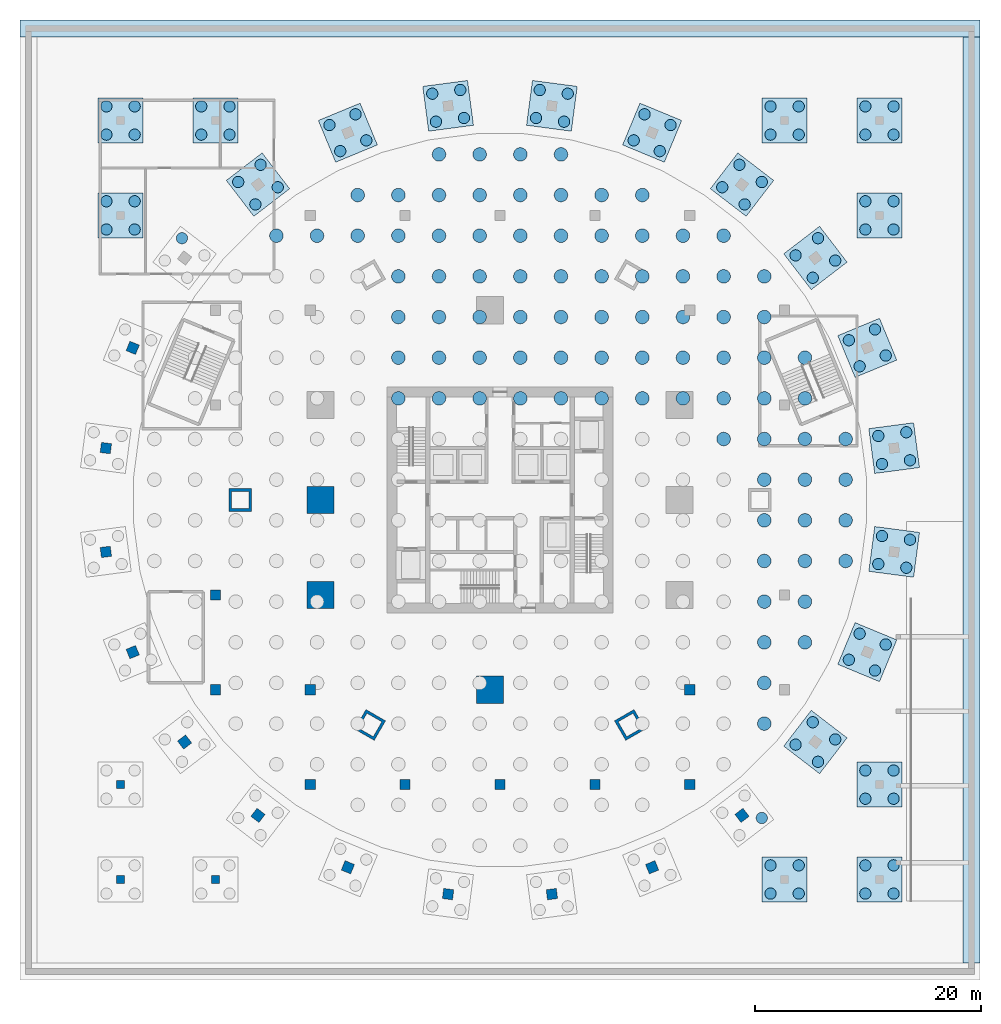
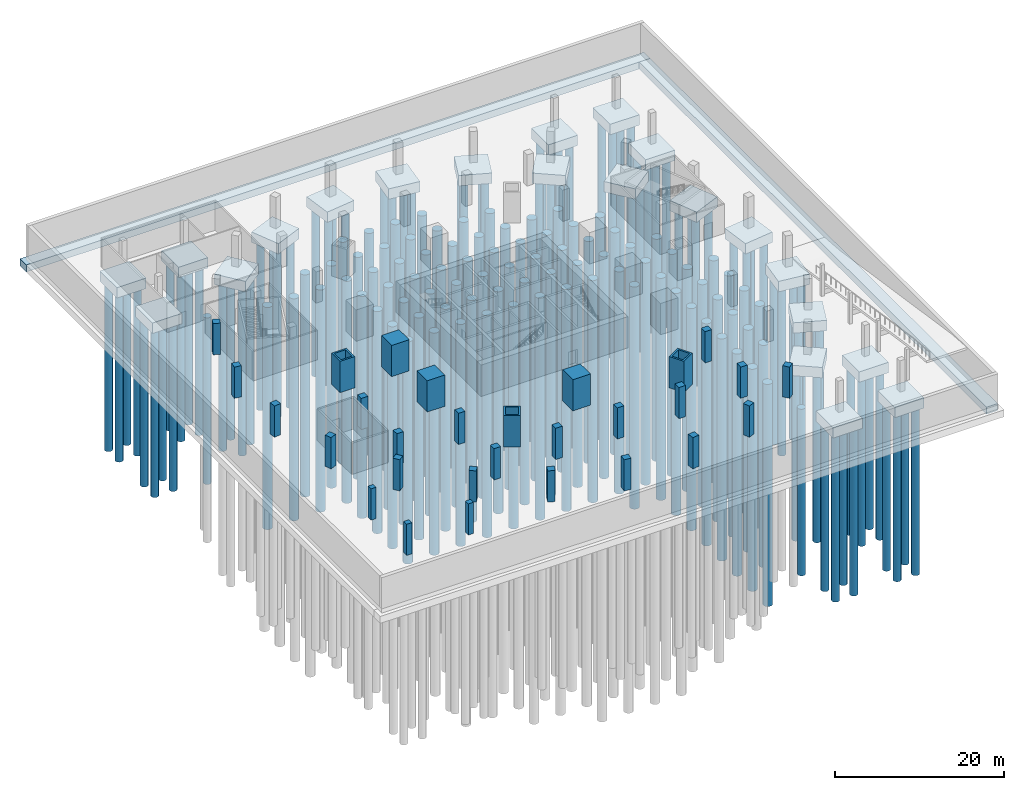
# One storey, part 2 of 12: 171 piles, 29 columns, 23 footings.
"""IFC4 building model written with IfcOpenShell, lengths in metres."""

import ifcopenshell
import ifcopenshell.guid

model = None  # the IFC model being written
_history = None  # IfcOwnerHistory: only IFC2X3 demands one
_inside = {}  # id of a spatial element -> (the spatial element, [elements in it])
_under = {}  # id of a project, library or spatial element -> (it, [spatial elements below it])
_declared = {}  # id of a project -> (the project, [libraries it declares])
_typed = {}  # id of a type object -> (the type object, [elements of that type])
_made_of = {}  # id of a material, layer set ... -> (it, [elements and type objects made of it])


def new_model(schema):
    """Start an empty IFC model of exactly this schema.

    Asked for "IFC4X3", IfcOpenShell would pick the latest addendum, in which some entities
    have other attributes; the version numbers below select the first issue.
    IFC2X3 requires an IfcOwnerHistory on every rooted entity: one is made here for all.
    """
    global model, _history
    if schema == "IFC4X3":
        model = ifcopenshell.file(schema_version=(4, 3, 0, 0))
    else:
        model = ifcopenshell.file(schema=schema)
    _inside.clear()
    _under.clear()
    _declared.clear()
    _typed.clear()
    _made_of.clear()
    _history = None
    if model.schema == "IFC2X3":
        org = make("IfcOrganization", Name="unknown")
        user = make(
            "IfcPersonAndOrganization",
            ThePerson=make("IfcPerson", FamilyName="unknown"),
            TheOrganization=org,
        )
        app = make(
            "IfcApplication",
            ApplicationDeveloper=org,
            Version="unknown",
            ApplicationFullName="unknown",
            ApplicationIdentifier="unknown",
        )
        _history = make(
            "IfcOwnerHistory",
            OwningUser=user,
            OwningApplication=app,
            ChangeAction="ADDED",
            CreationDate=0,
        )
    return model


def make(cls, **values):
    """One entity of the class cls with the attributes given. An attribute that is None is left unset."""
    return model.create_entity(
        cls, **{name: value for name, value in values.items() if value is not None}
    )


def rooted(cls, **values):
    """An entity with a GlobalId (a new one), such as an element, a storey or a relation."""
    return make(cls, GlobalId=ifcopenshell.guid.new(), OwnerHistory=_history, **values)


def si_unit(unit_type, name, prefix=None):
    """IfcSIUnit, for example si_unit("LENGTHUNIT", "METRE", prefix="MILLI")."""
    return make("IfcSIUnit", UnitType=unit_type, Prefix=prefix, Name=name)


def assignment(units):
    """IfcUnitAssignment: the units of a project."""
    return None if units is None else make("IfcUnitAssignment", Units=units)


def point(xyz):
    """IfcCartesianPoint."""
    return None if xyz is None else make("IfcCartesianPoint", Coordinates=xyz)


def direction(xyz):
    """IfcDirection."""
    return None if xyz is None else make("IfcDirection", DirectionRatios=xyz)


def frame(location, z_axis=None, x_axis=None):
    """IfcAxis2Placement3D, a coordinate frame: its origin and axes. An axis left out is left unset."""
    return make(
        "IfcAxis2Placement3D",
        Location=point(location),
        Axis=direction(z_axis),
        RefDirection=direction(x_axis),
    )


def frame_2d(location, x_axis=None):
    """IfcAxis2Placement2D, a coordinate frame in the plane: its origin and x axis."""
    return make(
        "IfcAxis2Placement2D", Location=point(location), RefDirection=direction(x_axis)
    )


def origin():
    """The frame at (0, 0, 0) with its axes left unset."""
    return frame((0.0, 0.0, 0.0))


def origin_2d():
    """The frame at (0, 0) in the plane with its x axis left unset."""
    return frame_2d((0.0, 0.0))


def place(relative_to, where):
    """IfcLocalPlacement: puts the frame where relative to a parent placement (None: the world)."""
    return make(
        "IfcLocalPlacement", PlacementRelTo=relative_to, RelativePlacement=where
    )


def context(
    kind, dimensions, precision=None, world=None, true_north=None, identifier=None
):
    """IfcGeometricRepresentationContext, for example the 3D "Model" context."""
    return make(
        "IfcGeometricRepresentationContext",
        ContextIdentifier=identifier,
        ContextType=kind,
        CoordinateSpaceDimension=dimensions,
        Precision=precision,
        WorldCoordinateSystem=world,
        TrueNorth=true_north,
    )


def subcontext(parent, identifier, kind, view, scale=None):
    """IfcGeometricRepresentationSubContext, for example "Body" below "Model"."""
    return make(
        "IfcGeometricRepresentationSubContext",
        ContextIdentifier=identifier,
        ContextType=kind,
        ParentContext=parent,
        TargetScale=scale,
        TargetView=view,
    )


def project(units=None, contexts=None):
    """IfcProject with its units and contexts."""
    return rooted(
        "IfcProject",
        Name="project",
        RepresentationContexts=contexts,
        UnitsInContext=assignment(units),
    )


def spatial(cls, under=None, at=None, **own):
    """A site, building, storey or space (cls), placed at a placement, below another one or the project."""
    s = rooted(cls, ObjectPlacement=at, **own)
    if under is not None:
        _under.setdefault(under.id(), (under, []))[1].append(s)
    return s


def profile(cls, at=None, kind="AREA", **sizes):
    """A parametric profile (cls). Its sizes go by their IFC names, for example OverallWidth=200.0."""
    return make(cls, ProfileType=kind, Position=at, **sizes)


def rectangle(**sizes):
    """IfcRectangleProfileDef."""
    return profile("IfcRectangleProfileDef", **sizes)


def hollow_rectangle(**sizes):
    """IfcRectangleHollowProfileDef."""
    return profile("IfcRectangleHollowProfileDef", **sizes)


def circle(**sizes):
    """IfcCircleProfileDef."""
    return profile("IfcCircleProfileDef", **sizes)


def extrude(swept, where, along, depth):
    """IfcExtrudedAreaSolid: the profile swept, set in the frame where, extruded along a direction by depth."""
    return make(
        "IfcExtrudedAreaSolid",
        SweptArea=swept,
        Position=where,
        ExtrudedDirection=direction(along),
        Depth=depth,
    )


def shape(context_of_items, identifier, shape_type, items):
    """IfcShapeRepresentation: the items that make up one representation, for example the "Body"."""
    return make(
        "IfcShapeRepresentation",
        ContextOfItems=context_of_items,
        RepresentationIdentifier=identifier,
        RepresentationType=shape_type,
        Items=items,
    )


def material(Name=None, Category=None):
    """IfcMaterial."""
    return make("IfcMaterial", Name=Name, Category=Category)


def layer(
    of_material, thickness, ventilated=None, Name=None, Category=None, Priority=None
):
    """IfcMaterialLayer: one layer of a wall or slab, of a material (None: an air gap)."""
    return make(
        "IfcMaterialLayer",
        Material=of_material,
        LayerThickness=thickness,
        IsVentilated=ventilated,
        Name=Name,
        Category=Category,
        Priority=Priority,
    )


def layer_set(layers, Name=None):
    """IfcMaterialLayerSet."""
    return make("IfcMaterialLayerSet", MaterialLayers=layers, LayerSetName=Name)


def material_profile(
    of_material, cross_section, Name=None, Category=None, Priority=None
):
    """IfcMaterialProfile: a cross section and its material."""
    return make(
        "IfcMaterialProfile",
        Name=Name,
        Material=of_material,
        Profile=cross_section,
        Priority=Priority,
        Category=Category,
    )


def profile_set(profiles, Name=None, composite=None):
    """IfcMaterialProfileSet."""
    return make(
        "IfcMaterialProfileSet",
        Name=Name,
        MaterialProfiles=profiles,
        CompositeProfile=composite,
    )


def made_of(thing, what):
    """Note that an element or type object is made of a material, layer set ...; save() writes the relation."""
    if what is not None:
        _made_of.setdefault(what.id(), (what, []))[1].append(thing)
    return thing


def type_object(cls, material=None, **own):
    """A type object (cls), such as IfcWallType, which elements share."""
    return made_of(rooted(cls, **own), material)


def element(
    cls,
    number,
    at=None,
    inside=None,
    cuts=None,
    type_object=None,
    material=None,
    context=None,
    identifier="Body",
    shape_type=None,
    held_by="IfcProductDefinitionShape",
    body=None,
    shapes=None,
    **own,
):
    """One element of the class cls, such as IfcWall. Its Tag is "e" and its number.

    at: its placement. inside: the storey or other place that contains it. cuts: it is an
    opening in that element (IfcRelVoidsElement). A single representation is given by context,
    identifier, shape_type and body (its items); several are given by shapes. held_by: the class
    of the entity that holds the representations. save() writes the other relations.
    """
    e = rooted(cls, Tag="e%d" % number, ObjectPlacement=at, **own)
    if body is not None:
        shapes = [shape(context, identifier, shape_type, body)]
    if shapes is not None:
        e.Representation = make(held_by, Representations=shapes)
    if inside is not None:
        _inside.setdefault(inside.id(), (inside, []))[1].append(e)
    if cuts is not None:
        rooted(
            "IfcRelVoidsElement", RelatingBuildingElement=cuts, RelatedOpeningElement=e
        )
    if type_object is not None:
        _typed.setdefault(type_object.id(), (type_object, []))[1].append(e)
    return made_of(e, material)


def aggregate(whole, parts):
    """IfcRelAggregates: a whole, such as a stair, and the parts it consists of."""
    return rooted("IfcRelAggregates", RelatingObject=whole, RelatedObjects=parts)


def save(model, path):
    """Write the relations noted so far, then the file.

    IfcRelAggregates (storeys below a building ...), IfcRelContainedInSpatialStructure (elements
    in a storey), IfcRelDefinesByType, IfcRelAssociatesMaterial and IfcRelDeclares: one each for
    every whole, place, type object, material and project.
    """
    for whole, parts in _under.values():
        aggregate(whole, parts)
    for where, things in _inside.values():
        rooted(
            "IfcRelContainedInSpatialStructure",
            RelatedElements=things,
            RelatingStructure=where,
        )
    for kind, things in _typed.values():
        rooted("IfcRelDefinesByType", RelatedObjects=things, RelatingType=kind)
    for what, things in _made_of.values():
        rooted("IfcRelAssociatesMaterial", RelatedObjects=things, RelatingMaterial=what)
    for by, libraries in _declared.values():
        rooted("IfcRelDeclares", RelatingContext=by, RelatedDefinitions=libraries)
    model.write(path)


model = new_model("IFC4")

# Units and contexts
model_context = context("Model", 3, precision=1e-05, world=origin(), true_north=direction((0.0, 1.0)))
body_context = subcontext(model_context, "Body", "Model", "MODEL_VIEW")
ifc_project = project(units=[si_unit("LENGTHUNIT", "METRE"), si_unit("AREAUNIT", "SQUARE_METRE"), si_unit("VOLUMEUNIT", "CUBIC_METRE"), si_unit("PLANEANGLEUNIT", "RADIAN"), si_unit("MASSUNIT", "GRAM", prefix="KILO")], contexts=[model_context])

# Site, building, storey
site_placement = place(None, origin())
site = spatial("IfcSite", under=ifc_project, at=site_placement, CompositionType="ELEMENT")
building_placement = place(site_placement, origin())
building = spatial("IfcBuilding", under=site, at=building_placement, Name="Golbaran Civic Tower", CompositionType="ELEMENT")
storey_placement = place(building_placement, frame((0.0, 0.0, -13.5)))
storey = spatial("IfcBuildingStorey", under=building, at=storey_placement, Name="B3", CompositionType="ELEMENT", Elevation=-13.5)

# Piles
ifc_material_1 = material(Name="Concrete C35/45", Category="concrete")
ifc_material_profile_1 = material_profile(ifc_material_1, circle(Radius=0.5, at=origin_2d()), Name="BORED PILE D1000")
ifc_profile_set_1 = profile_set([ifc_material_profile_1], Name="Concrete C35/45")
pile_type_1 = type_object("IfcPileType", Name="BORED PILE D1000", PredefinedType="BORED", material=ifc_profile_set_1)
for number, where, z_axis, x_axis, name in (
    (1, (-34.85009765625, 23.949951171875, -2.10009765625), (0.0, 0.0, -1.0), (1.0, 0.0, 0.0), "Pile 2J-1"),
    (2, (-32.35009765625, 23.949951171875, -2.10009765625), (0.0, 0.0, -1.0), (1.0, 0.0, 0.0), "Pile 2J-2"),
    (3, (-32.35009765625, 26.449951171875, -2.10009765625), (0.0, 0.0, -1.0), (1.0, 0.0, 0.0), "Pile 2J-3"),
    (4, (-34.85009765625, 26.449951171875, -2.10009765625), (0.0, 0.0, -1.0), (1.0, 0.0, 0.0), "Pile 2J-4"),
    (5, (-34.85009765625, 32.35009765625, -2.10009765625), (0.0, 0.0, -1.0), (1.0, 0.0, 0.0), "Pile 2K-1"),
    (6, (-32.35009765625, 32.35009765625, -2.10009765625), (0.0, 0.0, -1.0), (1.0, 0.0, 0.0), "Pile 2K-2"),
    (7, (-32.35009765625, 34.85009765625, -2.10009765625), (0.0, 0.0, -1.0), (1.0, 0.0, 0.0), "Pile 2K-3"),
    (8, (-34.85009765625, 34.85009765625, -2.10009765625), (0.0, 0.0, -1.0), (1.0, 0.0, 0.0), "Pile 2K-4"),
    (9, (-26.449951171875, 32.35009765625, -2.10009765625), (0.0, 0.0, -1.0), (1.0, 0.0, 0.0), "Pile 3K-1"),
    (10, (-23.949951171875, 32.35009765625, -2.10009765625), (0.0, 0.0, -1.0), (1.0, 0.0, 0.0), "Pile 3K-2"),
    (11, (-23.949951171875, 34.85009765625, -2.10009765625), (0.0, 0.0, -1.0), (1.0, 0.0, 0.0), "Pile 3K-3"),
    (12, (-26.449951171875, 34.85009765625, -2.10009765625), (0.0, 0.0, -1.0), (1.0, 0.0, 0.0), "Pile 3K-4"),
    (13, (23.949951171875, -34.85009765625, -2.10009765625), (0.0, 0.0, -1.0), (1.0, 0.0, 0.0), "Pile 9B-1"),
    (14, (26.449951171875, -34.85009765625, -2.10009765625), (0.0, 0.0, -1.0), (1.0, 0.0, 0.0), "Pile 9B-2"),
    (15, (26.449951171875, -32.35009765625, -2.10009765625), (0.0, 0.0, -1.0), (1.0, 0.0, 0.0), "Pile 9B-3"),
    (16, (23.949951171875, -32.35009765625, -2.10009765625), (0.0, 0.0, -1.0), (1.0, 0.0, 0.0), "Pile 9B-4"),
    (17, (23.949951171875, 32.35009765625, -2.10009765625), (0.0, 0.0, -1.0), (1.0, 0.0, 0.0), "Pile 9K-1"),
    (18, (26.449951171875, 32.35009765625, -2.10009765625), (0.0, 0.0, -1.0), (1.0, 0.0, 0.0), "Pile 9K-2"),
    (19, (26.449951171875, 34.85009765625, -2.10009765625), (0.0, 0.0, -1.0), (1.0, 0.0, 0.0), "Pile 9K-3"),
    (20, (23.949951171875, 34.85009765625, -2.10009765625), (0.0, 0.0, -1.0), (1.0, 0.0, 0.0), "Pile 9K-4"),
    (21, (32.35009765625, -34.85009765625, -2.10009765625), (0.0, 0.0, -1.0), (1.0, 0.0, 0.0), "Pile 10B-1"),
    (22, (34.85009765625, -34.85009765625, -2.10009765625), (0.0, 0.0, -1.0), (1.0, 0.0, 0.0), "Pile 10B-2"),
    (23, (34.85009765625, -32.35009765625, -2.10009765625), (0.0, 0.0, -1.0), (1.0, 0.0, 0.0), "Pile 10B-3"),
    (24, (32.35009765625, -32.35009765625, -2.10009765625), (0.0, 0.0, -1.0), (1.0, 0.0, 0.0), "Pile 10B-4"),
    (25, (32.35009765625, -26.449951171875, -2.10009765625), (0.0, 0.0, -1.0), (1.0, 0.0, 0.0), "Pile 10C-1"),
    (26, (34.85009765625, -26.449951171875, -2.10009765625), (0.0, 0.0, -1.0), (1.0, 0.0, 0.0), "Pile 10C-2"),
    (27, (34.85009765625, -23.949951171875, -2.10009765625), (0.0, 0.0, -1.0), (1.0, 0.0, 0.0), "Pile 10C-3"),
    (28, (32.35009765625, -23.949951171875, -2.10009765625), (0.0, 0.0, -1.0), (1.0, 0.0, 0.0), "Pile 10C-4"),
    (29, (32.35009765625, 23.949951171875, -2.10009765625), (0.0, 0.0, -1.0), (1.0, 0.0, 0.0), "Pile 10J-1"),
    (30, (34.85009765625, 23.949951171875, -2.10009765625), (0.0, 0.0, -1.0), (1.0, 0.0, 0.0), "Pile 10J-2"),
    (31, (34.85009765625, 26.449951171875, -2.10009765625), (0.0, 0.0, -1.0), (1.0, 0.0, 0.0), "Pile 10J-3"),
    (32, (32.35009765625, 26.449951171875, -2.10009765625), (0.0, 0.0, -1.0), (1.0, 0.0, 0.0), "Pile 10J-4"),
    (33, (32.35009765625, 32.35009765625, -2.10009765625), (0.0, 0.0, -1.0), (1.0, 0.0, 0.0), "Pile 10K-1"),
    (34, (34.85009765625, 32.35009765625, -2.10009765625), (0.0, 0.0, -1.0), (1.0, 0.0, 0.0), "Pile 10K-2"),
    (35, (34.85009765625, 34.85009765625, -2.10009765625), (0.0, 0.0, -1.0), (1.0, 0.0, 0.0), "Pile 10K-3"),
    (36, (32.35009765625, 34.85009765625, -2.10009765625), (0.0, 0.0, -1.0), (1.0, 0.0, 0.0), "Pile 10K-4"),
    (37, (33.82275390625, 3.192138671875, -2.10009765625), (0.0, 0.0, -1.0), (1.0, 0.0, 0.0), "Pile R0075-1"),
    (38, (36.30126953125, 3.518310546875, -2.10009765625), (0.0, 0.0, -1.0), (1.0, 0.0, 0.0), "Pile R0075-2"),
    (39, (35.97509765625, 5.9970703125, -2.10009765625), (0.0, 0.0, -1.0), (1.0, 0.0, 0.0), "Pile R0075-3"),
    (40, (33.496337890625, 5.670654296875, -2.10009765625), (0.0, 0.0, -1.0), (1.0, 0.0, 0.0), "Pile R0075-4"),
    (41, (31.843994140625, 11.837158203125, -2.10009765625), (0.0, 0.0, -1.0), (1.0, 0.0, 0.0), "Pile R0225-1"),
    (42, (34.15380859375, 12.7939453125, -2.10009765625), (0.0, 0.0, -1.0), (1.0, 0.0, 0.0), "Pile R0225-2"),
    (43, (33.197021484375, 15.103759765625, -2.10009765625), (0.0, 0.0, -1.0), (1.0, 0.0, 0.0), "Pile R0225-3"),
    (44, (30.887451171875, 14.14697265625, -2.10009765625), (0.0, 0.0, -1.0), (1.0, 0.0, 0.0), "Pile R0225-4"),
    (45, (27.6953125, 19.67578125, -2.10009765625), (0.0, 0.0, -1.0), (1.0, 0.0, 0.0), "Pile R0375-1"),
    (46, (29.6787109375, 21.19775390625, -2.10009765625), (0.0, 0.0, -1.0), (1.0, 0.0, 0.0), "Pile R0375-2"),
    (47, (28.15673828125, 23.18115234375, -2.10009765625), (0.0, 0.0, -1.0), (1.0, 0.0, 0.0), "Pile R0375-3"),
    (48, (26.17333984375, 21.6591796875, -2.10009765625), (0.0, 0.0, -1.0), (1.0, 0.0, 0.0), "Pile R0375-4"),
    (49, (21.6591796875, 26.17333984375, -2.10009765625), (0.0, 0.0, -1.0), (1.0, 0.0, 0.0), "Pile R0525-1"),
    (50, (23.18115234375, 28.15673828125, -2.10009765625), (0.0, 0.0, -1.0), (1.0, 0.0, 0.0), "Pile R0525-2"),
    (51, (21.19775390625, 29.6787109375, -2.10009765625), (0.0, 0.0, -1.0), (1.0, 0.0, 0.0), "Pile R0525-3"),
    (52, (19.67578125, 27.6953125, -2.10009765625), (0.0, 0.0, -1.0), (1.0, 0.0, 0.0), "Pile R0525-4"),
    (53, (14.14697265625, 30.887451171875, -2.10009765625), (0.0, 0.0, -1.0), (1.0, 0.0, 0.0), "Pile R0675-1"),
    (54, (15.103759765625, 33.197021484375, -2.10009765625), (0.0, 0.0, -1.0), (1.0, 0.0, 0.0), "Pile R0675-2"),
    (55, (12.7939453125, 34.15380859375, -2.10009765625), (0.0, 0.0, -1.0), (1.0, 0.0, 0.0), "Pile R0675-3"),
    (56, (11.837158203125, 31.843994140625, -2.10009765625), (0.0, 0.0, -1.0), (1.0, 0.0, 0.0), "Pile R0675-4"),
    (57, (5.670654296875, 33.496337890625, -2.10009765625), (0.0, 0.0, -1.0), (1.0, 0.0, 0.0), "Pile R0825-1"),
    (58, (5.9970703125, 35.97509765625, -2.10009765625), (0.0, 0.0, -1.0), (1.0, 0.0, 0.0), "Pile R0825-2"),
    (59, (3.518310546875, 36.30126953125, -2.10009765625), (0.0, 0.0, -1.0), (1.0, 0.0, 0.0), "Pile R0825-3"),
    (60, (3.192138671875, 33.82275390625, -2.10009765625), (0.0, 0.0, -1.0), (1.0, 0.0, 0.0), "Pile R0825-4"),
    (61, (-3.192138671875, 33.82275390625, -2.10009765625), (0.0, 0.0, -1.0), (1.0, 0.0, 0.0), "Pile R0975-1"),
    (62, (-3.518310546875, 36.30126953125, -2.10009765625), (0.0, 0.0, -1.0), (1.0, 0.0, 0.0), "Pile R0975-2"),
    (63, (-5.9970703125, 35.97509765625, -2.10009765625), (0.0, 0.0, -1.0), (1.0, 0.0, 0.0), "Pile R0975-3"),
    (64, (-5.670654296875, 33.496337890625, -2.10009765625), (0.0, 0.0, -1.0), (1.0, 0.0, 0.0), "Pile R0975-4"),
    (65, (-11.837158203125, 31.843994140625, -2.10009765625), (0.0, 0.0, -1.0), (1.0, 0.0, 0.0), "Pile R1125-1"),
    (66, (-12.7939453125, 34.15380859375, -2.10009765625), (0.0, 0.0, -1.0), (1.0, 0.0, 0.0), "Pile R1125-2"),
    (67, (-15.103759765625, 33.197021484375, -2.10009765625), (0.0, 0.0, -1.0), (1.0, 0.0, 0.0), "Pile R1125-3"),
    (68, (-14.14697265625, 30.887451171875, -2.10009765625), (0.0, 0.0, -1.0), (1.0, 0.0, 0.0), "Pile R1125-4"),
    (69, (-19.67578125, 27.6953125, -2.10009765625), (0.0, 0.0, -1.0), (1.0, 0.0, 0.0), "Pile R1275-1"),
    (70, (-21.19775390625, 29.6787109375, -2.10009765625), (0.0, 0.0, -1.0), (1.0, 0.0, 0.0), "Pile R1275-2"),
    (71, (-23.18115234375, 28.15673828125, -2.10009765625), (0.0, 0.0, -1.0), (1.0, 0.0, 0.0), "Pile R1275-3"),
    (72, (-21.6591796875, 26.17333984375, -2.10009765625), (0.0, 0.0, -1.0), (1.0, 0.0, 0.0), "Pile R1275-4"),
    (73, (-28.15673828125, 23.18115234375, -2.10009765625), (0.0, 0.0, -1.0), (1.0, 0.0, 0.0), "Pile R1425-2"),
    (74, (23.18115234375, -28.15673828125, -2.10009765625), (0.0, 0.0, -1.0), (1.0, 0.0, 0.0), "Pile R3075-3"),
    (75, (26.17333984375, -21.6591796875, -2.10009765625), (0.0, 0.0, -1.0), (1.0, 0.0, 0.0), "Pile R3225-1"),
    (76, (28.15673828125, -23.18115234375, -2.10009765625), (0.0, 0.0, -1.0), (1.0, 0.0, 0.0), "Pile R3225-2"),
    (77, (29.6787109375, -21.19775390625, -2.10009765625), (0.0, 0.0, -1.0), (1.0, 0.0, 0.0), "Pile R3225-3"),
    (78, (27.6953125, -19.67578125, -2.10009765625), (0.0, 0.0, -1.0), (1.0, 0.0, 0.0), "Pile R3225-4"),
    (79, (30.887451171875, -14.14697265625, -2.10009765625), (0.0, 0.0, -1.0), (1.0, 0.0, 0.0), "Pile R3375-1"),
    (80, (33.197021484375, -15.103759765625, -2.10009765625), (0.0, 0.0, -1.0), (1.0, 0.0, 0.0), "Pile R3375-2"),
    (81, (34.15380859375, -12.7939453125, -2.10009765625), (0.0, 0.0, -1.0), (1.0, 0.0, 0.0), "Pile R3375-3"),
    (82, (31.843994140625, -11.837158203125, -2.10009765625), (0.0, 0.0, -1.0), (1.0, 0.0, 0.0), "Pile R3375-4"),
    (83, (33.496337890625, -5.670654296875, -2.10009765625), (0.0, 0.0, -1.0), (1.0, 0.0, 0.0), "Pile R3525-1"),
    (84, (35.97509765625, -5.9970703125, -2.10009765625), (0.0, 0.0, -1.0), (1.0, 0.0, 0.0), "Pile R3525-2"),
    (85, (36.30126953125, -3.518310546875, -2.10009765625), (0.0, 0.0, -1.0), (1.0, 0.0, 0.0), "Pile R3525-3"),
    (86, (33.82275390625, -3.192138671875, -2.10009765625), (0.0, 0.0, -1.0), (1.0, 0.0, 0.0), "Pile R3525-4"),
):
    element("IfcPile", number, at=place(storey_placement, frame(where, z_axis=z_axis, x_axis=x_axis)), inside=storey, type_object=pile_type_1, Name=name, PredefinedType="BORED", context=body_context, shape_type="SweptSolid", body=[
        extrude(circle(Radius=0.5, at=origin_2d()), origin(), (0.0, 0.0, 1.0), 24.0),
    ])
ifc_material_profile_2 = material_profile(ifc_material_1, circle(Radius=0.60009765625, at=origin_2d()), Name="BORED PILE D1200")
ifc_profile_set_2 = profile_set([ifc_material_profile_2], Name="Concrete C35/45")
pile_type_2 = type_object("IfcPileType", Name="BORED PILE D1200", PredefinedType="BORED", material=ifc_profile_set_2)
for number, where, z_axis, x_axis, name in (
    (87, (-19.800048828125, 23.39990234375, -3.60009765625), (0.0, 0.0, -1.0), (1.0, 0.0, 0.0), "Raft pile 38"),
    (88, (-16.199951171875, 23.39990234375, -3.60009765625), (0.0, 0.0, -1.0), (1.0, 0.0, 0.0), "Raft pile 52"),
    (89, (-12.60009765625, 23.39990234375, -3.60009765625), (0.0, 0.0, -1.0), (1.0, 0.0, 0.0), "Raft pile 67"),
    (90, (-12.60009765625, 27.0, -3.60009765625), (0.0, 0.0, -1.0), (1.0, 0.0, 0.0), "Raft pile 68"),
    (91, (-9.0, 9.0, -3.60009765625), (0.0, 0.0, -1.0), (1.0, 0.0, 0.0), "Raft pile 78"),
    (92, (-9.0, 12.60009765625, -3.60009765625), (0.0, 0.0, -1.0), (1.0, 0.0, 0.0), "Raft pile 79"),
    (93, (-9.0, 16.199951171875, -3.60009765625), (0.0, 0.0, -1.0), (1.0, 0.0, 0.0), "Raft pile 80"),
    (94, (-9.0, 19.800048828125, -3.60009765625), (0.0, 0.0, -1.0), (1.0, 0.0, 0.0), "Raft pile 81"),
    (95, (-9.0, 23.39990234375, -3.60009765625), (0.0, 0.0, -1.0), (1.0, 0.0, 0.0), "Raft pile 82"),
    (96, (-9.0, 27.0, -3.60009765625), (0.0, 0.0, -1.0), (1.0, 0.0, 0.0), "Raft pile 83"),
    (97, (-5.39990234375, 9.0, -3.60009765625), (0.0, 0.0, -1.0), (1.0, 0.0, 0.0), "Raft pile 94"),
    (98, (-5.39990234375, 12.60009765625, -3.60009765625), (0.0, 0.0, -1.0), (1.0, 0.0, 0.0), "Raft pile 95"),
    (99, (-5.39990234375, 16.199951171875, -3.60009765625), (0.0, 0.0, -1.0), (1.0, 0.0, 0.0), "Raft pile 96"),
    (100, (-5.39990234375, 19.800048828125, -3.60009765625), (0.0, 0.0, -1.0), (1.0, 0.0, 0.0), "Raft pile 97"),
    (101, (-5.39990234375, 23.39990234375, -3.60009765625), (0.0, 0.0, -1.0), (1.0, 0.0, 0.0), "Raft pile 98"),
    (102, (-5.39990234375, 27.0, -3.60009765625), (0.0, 0.0, -1.0), (1.0, 0.0, 0.0), "Raft pile 99"),
    (103, (-5.39990234375, 30.60009765625, -3.60009765625), (0.0, 0.0, -1.0), (1.0, 0.0, 0.0), "Raft pile 100"),
    (104, (-1.800048828125, 9.0, -3.60009765625), (0.0, 0.0, -1.0), (1.0, 0.0, 0.0), "Raft pile 111"),
    (105, (-1.800048828125, 12.60009765625, -3.60009765625), (0.0, 0.0, -1.0), (1.0, 0.0, 0.0), "Raft pile 112"),
    (106, (-1.800048828125, 16.199951171875, -3.60009765625), (0.0, 0.0, -1.0), (1.0, 0.0, 0.0), "Raft pile 113"),
    (107, (-1.800048828125, 19.800048828125, -3.60009765625), (0.0, 0.0, -1.0), (1.0, 0.0, 0.0), "Raft pile 114"),
    (108, (-1.800048828125, 23.39990234375, -3.60009765625), (0.0, 0.0, -1.0), (1.0, 0.0, 0.0), "Raft pile 115"),
    (109, (-1.800048828125, 27.0, -3.60009765625), (0.0, 0.0, -1.0), (1.0, 0.0, 0.0), "Raft pile 116"),
    (110, (-1.800048828125, 30.60009765625, -3.60009765625), (0.0, 0.0, -1.0), (1.0, 0.0, 0.0), "Raft pile 117"),
    (111, (1.800048828125, 9.0, -3.60009765625), (0.0, 0.0, -1.0), (1.0, 0.0, 0.0), "Raft pile 128"),
    (112, (1.800048828125, 12.60009765625, -3.60009765625), (0.0, 0.0, -1.0), (1.0, 0.0, 0.0), "Raft pile 129"),
    (113, (1.800048828125, 16.199951171875, -3.60009765625), (0.0, 0.0, -1.0), (1.0, 0.0, 0.0), "Raft pile 130"),
    (114, (1.800048828125, 19.800048828125, -3.60009765625), (0.0, 0.0, -1.0), (1.0, 0.0, 0.0), "Raft pile 131"),
    (115, (1.800048828125, 23.39990234375, -3.60009765625), (0.0, 0.0, -1.0), (1.0, 0.0, 0.0), "Raft pile 132"),
    (116, (1.800048828125, 27.0, -3.60009765625), (0.0, 0.0, -1.0), (1.0, 0.0, 0.0), "Raft pile 133"),
    (117, (1.800048828125, 30.60009765625, -3.60009765625), (0.0, 0.0, -1.0), (1.0, 0.0, 0.0), "Raft pile 134"),
    (118, (5.39990234375, 9.0, -3.60009765625), (0.0, 0.0, -1.0), (1.0, 0.0, 0.0), "Raft pile 144"),
    (119, (5.39990234375, 12.60009765625, -3.60009765625), (0.0, 0.0, -1.0), (1.0, 0.0, 0.0), "Raft pile 145"),
    (120, (5.39990234375, 16.199951171875, -3.60009765625), (0.0, 0.0, -1.0), (1.0, 0.0, 0.0), "Raft pile 146"),
    (121, (5.39990234375, 19.800048828125, -3.60009765625), (0.0, 0.0, -1.0), (1.0, 0.0, 0.0), "Raft pile 147"),
    (122, (5.39990234375, 23.39990234375, -3.60009765625), (0.0, 0.0, -1.0), (1.0, 0.0, 0.0), "Raft pile 148"),
    (123, (5.39990234375, 27.0, -3.60009765625), (0.0, 0.0, -1.0), (1.0, 0.0, 0.0), "Raft pile 149"),
    (124, (5.39990234375, 30.60009765625, -3.60009765625), (0.0, 0.0, -1.0), (1.0, 0.0, 0.0), "Raft pile 150"),
    (125, (9.0, 9.0, -3.60009765625), (0.0, 0.0, -1.0), (1.0, 0.0, 0.0), "Raft pile 160"),
    (126, (9.0, 12.60009765625, -3.60009765625), (0.0, 0.0, -1.0), (1.0, 0.0, 0.0), "Raft pile 161"),
    (127, (9.0, 16.199951171875, -3.60009765625), (0.0, 0.0, -1.0), (1.0, 0.0, 0.0), "Raft pile 162"),
    (128, (9.0, 19.800048828125, -3.60009765625), (0.0, 0.0, -1.0), (1.0, 0.0, 0.0), "Raft pile 163"),
    (129, (9.0, 23.39990234375, -3.60009765625), (0.0, 0.0, -1.0), (1.0, 0.0, 0.0), "Raft pile 164"),
    (130, (9.0, 27.0, -3.60009765625), (0.0, 0.0, -1.0), (1.0, 0.0, 0.0), "Raft pile 165"),
    (131, (12.60009765625, 9.0, -3.60009765625), (0.0, 0.0, -1.0), (1.0, 0.0, 0.0), "Raft pile 176"),
    (132, (12.60009765625, 12.60009765625, -3.60009765625), (0.0, 0.0, -1.0), (1.0, 0.0, 0.0), "Raft pile 177"),
    (133, (12.60009765625, 16.199951171875, -3.60009765625), (0.0, 0.0, -1.0), (1.0, 0.0, 0.0), "Raft pile 178"),
    (134, (12.60009765625, 19.800048828125, -3.60009765625), (0.0, 0.0, -1.0), (1.0, 0.0, 0.0), "Raft pile 179"),
    (135, (12.60009765625, 23.39990234375, -3.60009765625), (0.0, 0.0, -1.0), (1.0, 0.0, 0.0), "Raft pile 180"),
    (136, (12.60009765625, 27.0, -3.60009765625), (0.0, 0.0, -1.0), (1.0, 0.0, 0.0), "Raft pile 181"),
    (137, (16.199951171875, 9.0, -3.60009765625), (0.0, 0.0, -1.0), (1.0, 0.0, 0.0), "Raft pile 191"),
    (138, (16.199951171875, 12.60009765625, -3.60009765625), (0.0, 0.0, -1.0), (1.0, 0.0, 0.0), "Raft pile 192"),
    (139, (16.199951171875, 16.199951171875, -3.60009765625), (0.0, 0.0, -1.0), (1.0, 0.0, 0.0), "Raft pile 193"),
    (140, (16.199951171875, 19.800048828125, -3.60009765625), (0.0, 0.0, -1.0), (1.0, 0.0, 0.0), "Raft pile 194"),
    (141, (16.199951171875, 23.39990234375, -3.60009765625), (0.0, 0.0, -1.0), (1.0, 0.0, 0.0), "Raft pile 195"),
    (142, (19.800048828125, 5.39990234375, -3.60009765625), (0.0, 0.0, -1.0), (1.0, 0.0, 0.0), "Raft pile 204"),
    (143, (19.800048828125, 9.0, -3.60009765625), (0.0, 0.0, -1.0), (1.0, 0.0, 0.0), "Raft pile 205"),
    (144, (19.800048828125, 12.60009765625, -3.60009765625), (0.0, 0.0, -1.0), (1.0, 0.0, 0.0), "Raft pile 206"),
    (145, (19.800048828125, 16.199951171875, -3.60009765625), (0.0, 0.0, -1.0), (1.0, 0.0, 0.0), "Raft pile 207"),
    (146, (19.800048828125, 19.800048828125, -3.60009765625), (0.0, 0.0, -1.0), (1.0, 0.0, 0.0), "Raft pile 208"),
    (147, (19.800048828125, 23.39990234375, -3.60009765625), (0.0, 0.0, -1.0), (1.0, 0.0, 0.0), "Raft pile 209"),
    (148, (23.39990234375, -19.800048828125, -3.60009765625), (0.0, 0.0, -1.0), (1.0, 0.0, 0.0), "Raft pile 210"),
    (149, (23.39990234375, -16.199951171875, -3.60009765625), (0.0, 0.0, -1.0), (1.0, 0.0, 0.0), "Raft pile 211"),
    (150, (23.39990234375, -12.60009765625, -3.60009765625), (0.0, 0.0, -1.0), (1.0, 0.0, 0.0), "Raft pile 212"),
    (151, (23.39990234375, -9.0, -3.60009765625), (0.0, 0.0, -1.0), (1.0, 0.0, 0.0), "Raft pile 213"),
    (152, (23.39990234375, -5.39990234375, -3.60009765625), (0.0, 0.0, -1.0), (1.0, 0.0, 0.0), "Raft pile 214"),
    (153, (23.39990234375, -1.800048828125, -3.60009765625), (0.0, 0.0, -1.0), (1.0, 0.0, 0.0), "Raft pile 215"),
    (154, (23.39990234375, 1.800048828125, -3.60009765625), (0.0, 0.0, -1.0), (1.0, 0.0, 0.0), "Raft pile 216"),
    (155, (23.39990234375, 5.39990234375, -3.60009765625), (0.0, 0.0, -1.0), (1.0, 0.0, 0.0), "Raft pile 217"),
    (156, (23.39990234375, 9.0, -3.60009765625), (0.0, 0.0, -1.0), (1.0, 0.0, 0.0), "Raft pile 218"),
    (157, (23.39990234375, 12.60009765625, -3.60009765625), (0.0, 0.0, -1.0), (1.0, 0.0, 0.0), "Raft pile 219"),
    (158, (23.39990234375, 16.199951171875, -3.60009765625), (0.0, 0.0, -1.0), (1.0, 0.0, 0.0), "Raft pile 220"),
    (159, (23.39990234375, 19.800048828125, -3.60009765625), (0.0, 0.0, -1.0), (1.0, 0.0, 0.0), "Raft pile 221"),
    (160, (27.0, -12.60009765625, -3.60009765625), (0.0, 0.0, -1.0), (1.0, 0.0, 0.0), "Raft pile 222"),
    (161, (27.0, -9.0, -3.60009765625), (0.0, 0.0, -1.0), (1.0, 0.0, 0.0), "Raft pile 223"),
    (162, (27.0, -5.39990234375, -3.60009765625), (0.0, 0.0, -1.0), (1.0, 0.0, 0.0), "Raft pile 224"),
    (163, (27.0, -1.800048828125, -3.60009765625), (0.0, 0.0, -1.0), (1.0, 0.0, 0.0), "Raft pile 225"),
    (164, (27.0, 1.800048828125, -3.60009765625), (0.0, 0.0, -1.0), (1.0, 0.0, 0.0), "Raft pile 226"),
    (165, (27.0, 5.39990234375, -3.60009765625), (0.0, 0.0, -1.0), (1.0, 0.0, 0.0), "Raft pile 227"),
    (166, (27.0, 9.0, -3.60009765625), (0.0, 0.0, -1.0), (1.0, 0.0, 0.0), "Raft pile 228"),
    (167, (27.0, 12.60009765625, -3.60009765625), (0.0, 0.0, -1.0), (1.0, 0.0, 0.0), "Raft pile 229"),
    (168, (30.60009765625, -5.39990234375, -3.60009765625), (0.0, 0.0, -1.0), (1.0, 0.0, 0.0), "Raft pile 230"),
    (169, (30.60009765625, -1.800048828125, -3.60009765625), (0.0, 0.0, -1.0), (1.0, 0.0, 0.0), "Raft pile 231"),
    (170, (30.60009765625, 1.800048828125, -3.60009765625), (0.0, 0.0, -1.0), (1.0, 0.0, 0.0), "Raft pile 232"),
    (171, (30.60009765625, 5.39990234375, -3.60009765625), (0.0, 0.0, -1.0), (1.0, 0.0, 0.0), "Raft pile 233"),
):
    element("IfcPile", number, at=place(storey_placement, frame(where, z_axis=z_axis, x_axis=x_axis)), inside=storey, type_object=pile_type_2, Name=name, PredefinedType="BORED", context=body_context, shape_type="SweptSolid", body=[
        extrude(circle(Radius=0.60009765625, at=origin_2d()), origin(), (0.0, 0.0, 1.0), 32.0),
    ])

# Footings
ifc_material_2 = material(Name="Concrete C40/50", Category="concrete")
ifc_layer_1 = layer(ifc_material_2, 1.5, Name="Concrete C40/50")
ifc_layer_set_1 = layer_set([ifc_layer_1], Name="Concrete C40/50")
footing_type_1 = type_object("IfcFootingType", Name="PILE CAP 4000x4000x1500", PredefinedType="PILE_CAP", material=ifc_layer_set_1)
for number, where, z_axis, x_axis, name in (
    (172, (-33.60009765625, 25.199951171875, -2.10009765625), (0.0, 0.0, 1.0), (1.0, 0.0, 0.0), "Pile cap 2J"),
    (173, (-33.60009765625, 33.60009765625, -2.10009765625), (0.0, 0.0, 1.0), (1.0, 0.0, 0.0), "Pile cap 2K"),
    (174, (-25.199951171875, 33.60009765625, -2.10009765625), (0.0, 0.0, 1.0), (1.0, 0.0, 0.0), "Pile cap 3K"),
    (175, (25.199951171875, -33.60009765625, -2.10009765625), (0.0, 0.0, 1.0), (1.0, 0.0, 0.0), "Pile cap 9B"),
    (176, (25.199951171875, 33.60009765625, -2.10009765625), (0.0, 0.0, 1.0), (1.0, 0.0, 0.0), "Pile cap 9K"),
    (177, (33.60009765625, -33.60009765625, -2.10009765625), (0.0, 0.0, 1.0), (1.0, 0.0, 0.0), "Pile cap 10B"),
    (178, (33.60009765625, -25.199951171875, -2.10009765625), (0.0, 0.0, 1.0), (1.0, 0.0, 0.0), "Pile cap 10C"),
    (179, (33.60009765625, 25.199951171875, -2.10009765625), (0.0, 0.0, 1.0), (1.0, 0.0, 0.0), "Pile cap 10J"),
    (180, (33.60009765625, 33.60009765625, -2.10009765625), (0.0, 0.0, 1.0), (1.0, 0.0, 0.0), "Pile cap 10K"),
    (181, (34.89892578125, 4.594482421875, -2.10009765625), (0.0, 0.0, 1.0), (0.991444861374, 0.13052619222, 0.0), "Pile cap R0075"),
    (182, (32.5205078125, 13.470458984375, -2.10009765625), (0.0, 0.0, 1.0), (0.923879532511, 0.382683432365, 0.0), "Pile cap R0225"),
    (183, (27.926025390625, 21.428466796875, -2.10009765625), (0.0, 0.0, 1.0), (0.793353340291, 0.608761429009, 0.0), "Pile cap R0375"),
    (184, (21.428466796875, 27.926025390625, -2.10009765625), (0.0, 0.0, 1.0), (0.608761429009, 0.793353340291, 0.0), "Pile cap R0525"),
    (185, (13.470458984375, 32.5205078125, -2.10009765625), (0.0, 0.0, 1.0), (0.382683432365, 0.923879532511, 0.0), "Pile cap R0675"),
    (186, (4.594482421875, 34.89892578125, -2.10009765625), (0.0, 0.0, 1.0), (0.13052619222, 0.991444861374, 0.0), "Pile cap R0825"),
    (187, (-4.594482421875, 34.89892578125, -2.10009765625), (0.0, 0.0, 1.0), (-0.13052619222, 0.991444861374, 0.0), "Pile cap R0975"),
    (188, (-13.470458984375, 32.5205078125, -2.10009765625), (0.0, 0.0, 1.0), (-0.382683432365, 0.923879532511, 0.0), "Pile cap R1125"),
    (189, (-21.428466796875, 27.926025390625, -2.10009765625), (0.0, 0.0, 1.0), (-0.608761429009, 0.793353340291, 0.0), "Pile cap R1275"),
    (190, (27.926025390625, -21.428466796875, -2.10009765625), (0.0, 0.0, 1.0), (0.793353340291, -0.608761429009, 0.0), "Pile cap R3225"),
    (191, (32.5205078125, -13.470458984375, -2.10009765625), (0.0, 0.0, 1.0), (0.923879532511, -0.382683432365, 0.0), "Pile cap R3375"),
    (192, (34.89892578125, -4.594482421875, -2.10009765625), (0.0, 0.0, 1.0), (0.991444861374, -0.13052619222, 0.0), "Pile cap R3525"),
):
    element("IfcFooting", number, at=place(storey_placement, frame(where, z_axis=z_axis, x_axis=x_axis)), inside=storey, type_object=footing_type_1, Name=name, PredefinedType="PILE_CAP", context=body_context, shape_type="SweptSolid", body=[
        extrude(rectangle(XDim=4.0, YDim=4.0, at=origin_2d()), origin(), (0.0, 0.0, 1.0), 1.5),
    ])
ifc_layer_2 = layer(ifc_material_2, 1.0, Name="Concrete C40/50")
ifc_layer_set_2 = layer_set([ifc_layer_2], Name="Concrete C40/50")
footing_type_2 = type_object("IfcFootingType", Name="STRIP FOOTING 1500x1000", PredefinedType="STRIP_FOOTING", material=ifc_layer_set_2)
footing_1_placement = place(storey_placement, frame((0.0, 41.75, -1.60009765625), z_axis=(0.0, 0.0, 1.0), x_axis=(1.0, 0.0, 0.0)))
element("IfcFooting", 193, at=footing_1_placement, inside=storey, type_object=footing_type_2, Name="Strip footing N", PredefinedType="STRIP_FOOTING", context=body_context, shape_type="SweptSolid", body=[
    extrude(rectangle(XDim=85.0, YDim=1.5, at=origin_2d()), origin(), (0.0, 0.0, 1.0), 1.0),
])
footing_2_placement = place(storey_placement, frame((41.75, 0.0, -1.60009765625), z_axis=(0.0, 0.0, 1.0), x_axis=(1.0, 0.0, 0.0)))
element("IfcFooting", 194, at=footing_2_placement, inside=storey, type_object=footing_type_2, Name="Strip footing E", PredefinedType="STRIP_FOOTING", context=body_context, shape_type="SweptSolid", body=[
    extrude(rectangle(XDim=1.5, YDim=82.0, at=origin_2d()), origin(), (0.0, 0.0, 1.0), 1.0),
])

# Columns
ifc_material_3 = material(Name="Concrete C50/60", Category="concrete")
ifc_material_profile_3 = material_profile(ifc_material_3, rectangle(XDim=0.699951171875, YDim=0.699951171875, at=origin_2d()), Name="RC 700x700")
ifc_profile_set_3 = profile_set([ifc_material_profile_3], Name="Concrete C50/60")
column_type_1 = type_object("IfcColumnType", Name="BASEMENT COLUMN RC 700x700", PredefinedType="COLUMN", material=ifc_profile_set_3)
for number, where, z_axis, x_axis, name in (
    (195, (-33.60009765625, -33.60009765625, 0.0), (0.0, 0.0, 1.0), (1.0, 0.0, 0.0), "Column 2/B B3"),
    (196, (-33.60009765625, -25.199951171875, 0.0), (0.0, 0.0, 1.0), (1.0, 0.0, 0.0), "Column 2/C B3"),
    (197, (-25.199951171875, -33.60009765625, 0.0), (0.0, 0.0, 1.0), (1.0, 0.0, 0.0), "Column 3/B B3"),
):
    element("IfcColumn", number, at=place(storey_placement, frame(where, z_axis=z_axis, x_axis=x_axis)), inside=storey, type_object=column_type_1, Name=name, PredefinedType="COLUMN", context=body_context, shape_type="SweptSolid", body=[
        extrude(rectangle(XDim=0.699951171875, YDim=0.699951171875, at=origin_2d()), origin(), (0.0, 0.0, 1.0), 4.5),
    ])
ifc_material_4 = material(Name="Steel S355", Category="steel")
ifc_material_profile_4 = material_profile(ifc_material_4, hollow_rectangle(XDim=2.0, YDim=2.0, WallThickness=0.239990234375, at=origin_2d()), Name="BOX 2000x2000x240")
ifc_profile_set_4 = profile_set([ifc_material_profile_4], Name="Steel S355")
column_type_2 = type_object("IfcColumnType", Name="MEGA COLUMN BOX 2000x2000x240", PredefinedType="COLUMN", material=ifc_profile_set_4)
for number, where, z_axis, x_axis, name in (
    (198, (-23.0, 0.0, 0.0), (0.0, 0.0, 1.0), (-1.0, 0.0, 0.0), "Column mega 180 B3"),
    (199, (-11.5, -19.918701171875, 0.0), (0.0, 0.0, 1.0), (-0.5, -0.866025403784, 0.0), "Column mega 240 B3"),
    (200, (11.5, -19.918701171875, 0.0), (0.0, 0.0, 1.0), (0.5, -0.866025403784, 0.0), "Column mega 300 B3"),
):
    element("IfcColumn", number, at=place(storey_placement, frame(where, z_axis=z_axis, x_axis=x_axis)), inside=storey, type_object=column_type_2, Name=name, PredefinedType="COLUMN", context=body_context, shape_type="SweptSolid", body=[
        extrude(hollow_rectangle(XDim=2.0, YDim=2.0, WallThickness=0.239990234375, at=origin_2d()), origin(), (0.0, 0.0, 1.0), 4.5),
    ])
ifc_material_profile_5 = material_profile(ifc_material_3, rectangle(XDim=0.89990234375, YDim=0.89990234375, at=origin_2d()), Name="RC 900x900")
ifc_profile_set_5 = profile_set([ifc_material_profile_5], Name="Concrete C50/60")
column_type_3 = type_object("IfcColumnType", Name="PODIUM COLUMN RC 900x900", PredefinedType="COLUMN", material=ifc_profile_set_5)
for number, where, z_axis, x_axis, name in (
    (201, (-25.199951171875, -16.800048828125, 0.0), (0.0, 0.0, 1.0), (1.0, 0.0, 0.0), "Column 3/D B3"),
    (202, (-25.199951171875, -8.39990234375, 0.0), (0.0, 0.0, 1.0), (1.0, 0.0, 0.0), "Column 3/E B3"),
    (203, (-16.800048828125, -25.199951171875, 0.0), (0.0, 0.0, 1.0), (1.0, 0.0, 0.0), "Column 4/C B3"),
    (204, (-16.800048828125, -16.800048828125, 0.0), (0.0, 0.0, 1.0), (1.0, 0.0, 0.0), "Column 4/D B3"),
    (205, (-8.39990234375, -25.199951171875, 0.0), (0.0, 0.0, 1.0), (1.0, 0.0, 0.0), "Column 5/C B3"),
    (206, (0.0, -25.199951171875, 0.0), (0.0, 0.0, 1.0), (1.0, 0.0, 0.0), "Column 6/C B3"),
    (207, (8.39990234375, -25.199951171875, 0.0), (0.0, 0.0, 1.0), (1.0, 0.0, 0.0), "Column 7/C B3"),
    (208, (16.800048828125, -25.199951171875, 0.0), (0.0, 0.0, 1.0), (1.0, 0.0, 0.0), "Column 8/C B3"),
    (209, (16.800048828125, -16.800048828125, 0.0), (0.0, 0.0, 1.0), (1.0, 0.0, 0.0), "Column 8/D B3"),
):
    element("IfcColumn", number, at=place(storey_placement, frame(where, z_axis=z_axis, x_axis=x_axis)), inside=storey, type_object=column_type_3, Name=name, PredefinedType="COLUMN", context=body_context, shape_type="SweptSolid", body=[
        extrude(rectangle(XDim=0.89990234375, YDim=0.89990234375, at=origin_2d()), origin(), (0.0, 0.0, 1.0), 4.5),
    ])
ifc_material_profile_6 = material_profile(ifc_material_3, rectangle(XDim=2.39990234375, YDim=2.39990234375, at=origin_2d()), Name="RC 2400x2400")
ifc_profile_set_6 = profile_set([ifc_material_profile_6], Name="Concrete C50/60")
column_type_4 = type_object("IfcColumnType", Name="PODIUM COLUMN UNDER TOWER RC 2400x2400", PredefinedType="COLUMN", material=ifc_profile_set_6)
for number, where, z_axis, x_axis, name in (
    (210, (-15.89990234375, -8.39990234375, 0.0), (0.0, 0.0, 1.0), (1.0, 0.0, 0.0), "Column 4/E B3"),
    (211, (-15.89990234375, 0.0, 0.0), (0.0, 0.0, 1.0), (1.0, 0.0, 0.0), "Column 4/F B3"),
    (212, (-0.89990234375, -16.800048828125, 0.0), (0.0, 0.0, 1.0), (1.0, 0.0, 0.0), "Column 6/D B3"),
):
    element("IfcColumn", number, at=place(storey_placement, frame(where, z_axis=z_axis, x_axis=x_axis)), inside=storey, type_object=column_type_4, Name=name, PredefinedType="COLUMN", context=body_context, shape_type="SweptSolid", body=[
        extrude(rectangle(XDim=2.39990234375, YDim=2.39990234375, at=origin_2d()), origin(), (0.0, 0.0, 1.0), 4.5),
    ])
ifc_material_profile_7 = material_profile(ifc_material_3, rectangle(XDim=0.89990234375, YDim=0.89990234375, at=origin_2d()), Name="RC 900x900")
ifc_profile_set_7 = profile_set([ifc_material_profile_7], Name="Concrete C50/60")
column_type_5 = type_object("IfcColumnType", Name="PODIUM EDGE COLUMN RC 900x900", PredefinedType="COLUMN", material=ifc_profile_set_7)
for number, where, z_axis, x_axis, name in (
    (213, (-32.5205078125, 13.470458984375, 0.0), (0.0, 0.0, 1.0), (-0.923879532511, 0.382683432365, 0.0), "Column edge 157.5 B3"),
    (214, (-34.89892578125, 4.594482421875, 0.0), (0.0, 0.0, 1.0), (-0.991444861374, 0.13052619222, 0.0), "Column edge 172.5 B3"),
    (215, (-34.89892578125, -4.594482421875, 0.0), (0.0, 0.0, 1.0), (-0.991444861374, -0.13052619222, 0.0), "Column edge 187.5 B3"),
    (216, (-32.5205078125, -13.470458984375, 0.0), (0.0, 0.0, 1.0), (-0.923879532511, -0.382683432365, 0.0), "Column edge 202.5 B3"),
    (217, (-27.926025390625, -21.428466796875, 0.0), (0.0, 0.0, 1.0), (-0.793353340291, -0.608761429009, 0.0), "Column edge 217.5 B3"),
    (218, (-21.428466796875, -27.926025390625, 0.0), (0.0, 0.0, 1.0), (-0.608761429009, -0.793353340291, 0.0), "Column edge 232.5 B3"),
    (219, (-13.470458984375, -32.5205078125, 0.0), (0.0, 0.0, 1.0), (-0.382683432365, -0.923879532511, 0.0), "Column edge 247.5 B3"),
    (220, (-4.594482421875, -34.89892578125, 0.0), (0.0, 0.0, 1.0), (-0.13052619222, -0.991444861374, 0.0), "Column edge 262.5 B3"),
    (221, (4.594482421875, -34.89892578125, 0.0), (0.0, 0.0, 1.0), (0.13052619222, -0.991444861374, 0.0), "Column edge 277.5 B3"),
    (222, (13.470458984375, -32.5205078125, 0.0), (0.0, 0.0, 1.0), (0.382683432365, -0.923879532511, 0.0), "Column edge 292.5 B3"),
    (223, (21.428466796875, -27.926025390625, 0.0), (0.0, 0.0, 1.0), (0.608761429009, -0.793353340291, 0.0), "Column edge 307.5 B3"),
):
    element("IfcColumn", number, at=place(storey_placement, frame(where, z_axis=z_axis, x_axis=x_axis)), inside=storey, type_object=column_type_5, Name=name, PredefinedType="COLUMN", context=body_context, shape_type="SweptSolid", body=[
        extrude(rectangle(XDim=0.89990234375, YDim=0.89990234375, at=origin_2d()), origin(), (0.0, 0.0, 1.0), 4.5),
    ])

save(model, "model.ifc")
